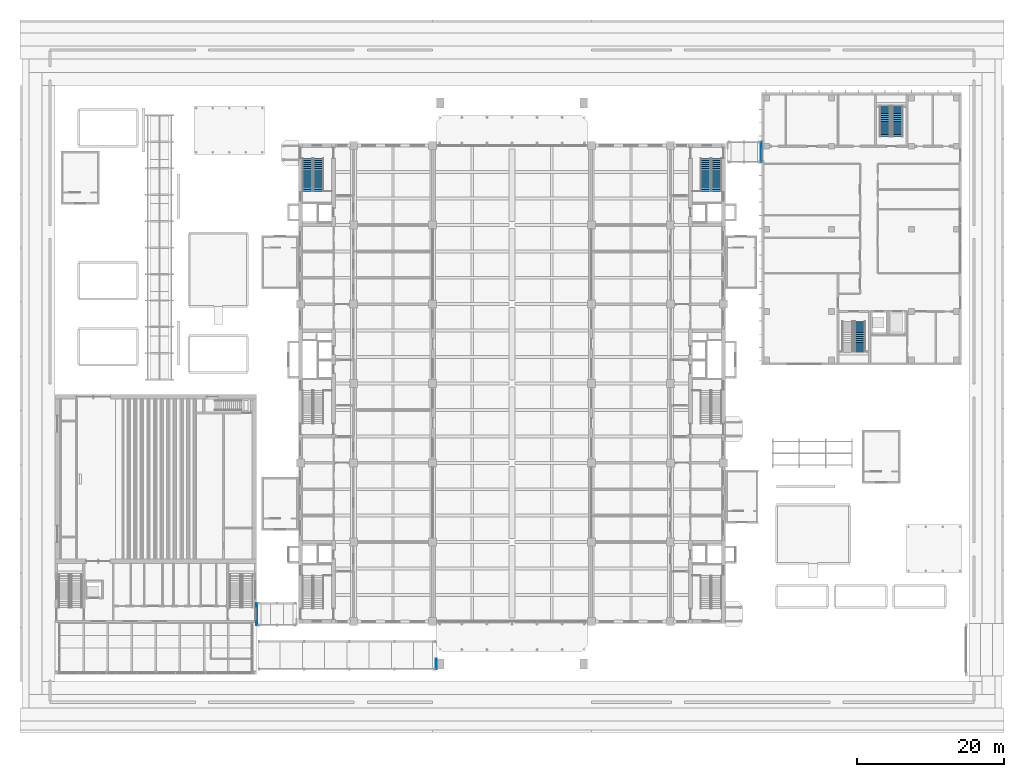
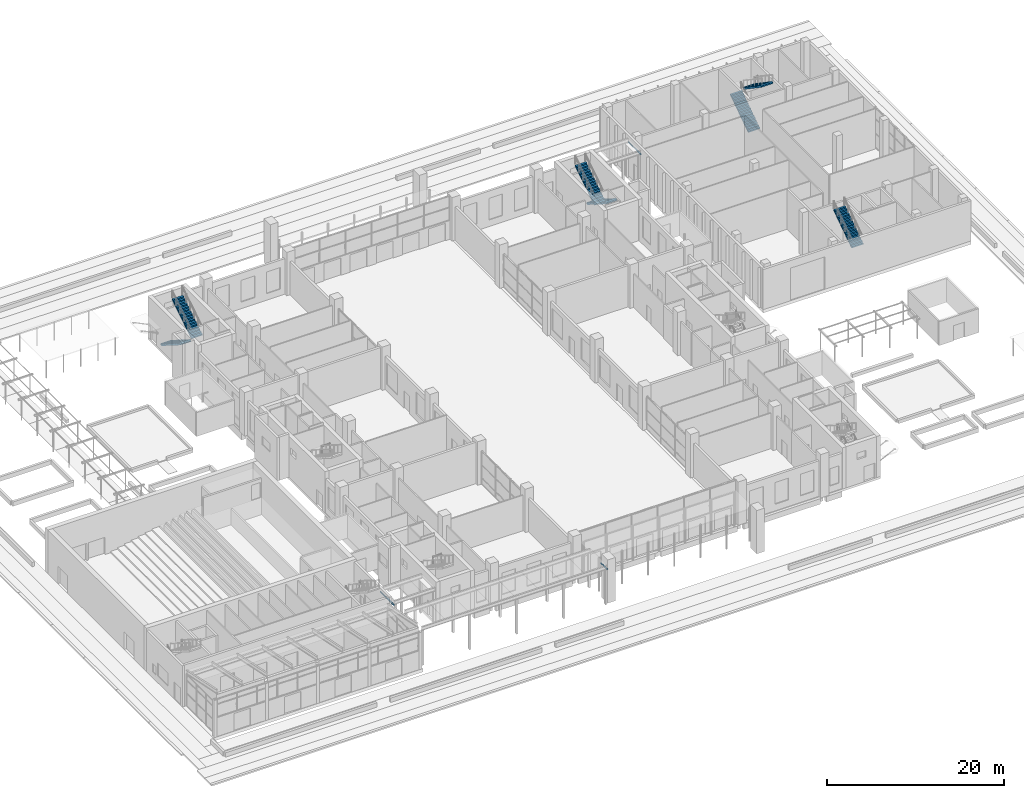
# One storey, part 59 of 71: 7 stair flights, 3 discrete accessories, 4 elements without a shape of their own.
"""IFC4 building model written with IfcOpenShell, lengths in metres."""

from ifc_helpers import new_model, si_unit, direction, frame, origin, origin_2d, place, context, subcontext, project, spatial, polyline, rectangle, outline, extrude, material, type_object, element, aggregate, save


model = new_model("IFC4")

# Units and contexts
model_context = context("Model", 3, precision=1e-05, world=origin(), true_north=direction((0.0, 1.0)))
body_context = subcontext(model_context, "Body", "Model", "MODEL_VIEW")
ifc_project = project(units=[si_unit("LENGTHUNIT", "METRE"), si_unit("AREAUNIT", "SQUARE_METRE"), si_unit("VOLUMEUNIT", "CUBIC_METRE"), si_unit("PLANEANGLEUNIT", "RADIAN"), si_unit("MASSUNIT", "GRAM", prefix="KILO")], contexts=[model_context])

# Site, building, storey
site_placement = place(None, origin())
site = spatial("IfcSite", under=ifc_project, at=site_placement, CompositionType="ELEMENT")
building_placement = place(site_placement, origin())
building = spatial("IfcBuilding", under=site, at=building_placement, Name="Basin Gate Institute", CompositionType="ELEMENT")
storey_placement = place(building_placement, origin())
storey = spatial("IfcBuildingStorey", under=building, at=storey_placement, Name="L00", CompositionType="ELEMENT", Elevation=0.0)

# Stair, stair flight
ifc_material_1 = material(Name="Concrete 40 MPa", Category="concrete")
stair_type_1 = type_object("IfcStairType", Name="Block stair ST", PredefinedType="HALF_TURN_STAIR", material=ifc_material_1)
stair_1_placement = place(storey_placement, origin())
stair_1 = element("IfcStair", 1, at=stair_1_placement, inside=storey, type_object=stair_type_1, material=ifc_material_1, Name="Clean block stair ST-C1 L00", PredefinedType="HALF_TURN_STAIR")
ifc_material_2 = material(Name="Concrete 40 MPa", Category="concrete")
stair_flight_type_1 = type_object("IfcStairFlightType", Name="Block stair flight", PredefinedType="STRAIGHT", material=ifc_material_2)
stair_flight_1_placement = place(storey_placement, frame((137.39990234375, 71.81494140625, 3.0), z_axis=(0.0, 0.0, 1.0), x_axis=(0.0, 1.0, 0.0)))
stair_flight_1 = element("IfcStairFlight", 2, at=stair_flight_1_placement, type_object=stair_flight_type_1, material=ifc_material_2, Name="ST-C1 flight 2", NumberOfRisers=17, NumberOfTreads=16, PredefinedType="STRAIGHT", RiserHeight=0.176470588, TreadLength=0.26, context=body_context, shape_type="SweptSolid", body=[
    extrude(outline(polyline([(0.0, 0.0), (0.0, 0.176513671875), (0.260009765625, 0.176513671875), (0.260009765625, 0.35302734375), (0.52001953125, 0.35302734375), (0.52001953125, 0.529296875), (0.780029296875, 0.529296875), (0.780029296875, 0.705810546875), (1.0400390625, 0.705810546875), (1.0400390625, 0.88232421875), (1.300048828125, 0.88232421875), (1.300048828125, 1.058837890625), (1.56005859375, 1.058837890625), (1.56005859375, 1.2353515625), (1.820068359375, 1.2353515625), (1.820068359375, 1.411865234375), (2.080078125, 1.411865234375), (2.080078125, 1.588134765625), (2.340087890625, 1.588134765625), (2.340087890625, 1.7646484375), (2.60009765625, 1.7646484375), (2.60009765625, 1.941162109375), (2.860107421875, 1.941162109375), (2.860107421875, 2.11767578125), (3.1201171875, 2.11767578125), (3.1201171875, 2.294189453125), (3.3798828125, 2.294189453125), (3.3798828125, 2.470703125), (3.639892578125, 2.470703125), (3.639892578125, 2.64697265625), (3.89990234375, 2.64697265625), (3.89990234375, 2.823486328125), (4.159912109375, 2.823486328125), (4.159912109375, 3.0), (4.159912109375, 2.642333984375), (0.266845703125, 0.0), (0.0, 0.0)])), frame((0.0, 0.75, 0.0), z_axis=(0.0, -1.0, 0.0), x_axis=(1.0, 0.0, 0.0)), (0.0, 0.0, 1.0), 1.5),
])
aggregate(stair_1, [stair_flight_1])

# Stair, stair flights
stair_2_placement = place(storey_placement, origin())
stair_2 = element("IfcStair", 3, at=stair_2_placement, inside=storey, type_object=stair_type_1, material=ifc_material_1, Name="Clean block stair ST-C5 L00", PredefinedType="HALF_TURN_STAIR")
stair_flight_2_placement = place(storey_placement, frame((140.800048828125, 101.125, 0.0), z_axis=(0.0, 0.0, 1.0), x_axis=(0.0, 1.0, 0.0)))
stair_flight_2 = element("IfcStairFlight", 4, at=stair_flight_2_placement, type_object=stair_flight_type_1, material=ifc_material_2, Name="ST-C5 flight 1", NumberOfRisers=17, NumberOfTreads=16, PredefinedType="STRAIGHT", RiserHeight=0.176470588, TreadLength=0.26, context=body_context, shape_type="SweptSolid", body=[
    extrude(outline(polyline([(0.0, 0.0), (0.0, 0.176513671875), (0.260009765625, 0.176513671875), (0.260009765625, 0.35302734375), (0.52001953125, 0.35302734375), (0.52001953125, 0.529296875), (0.780029296875, 0.529296875), (0.780029296875, 0.705810546875), (1.0400390625, 0.705810546875), (1.0400390625, 0.88232421875), (1.300048828125, 0.88232421875), (1.300048828125, 1.058837890625), (1.56005859375, 1.058837890625), (1.56005859375, 1.2353515625), (1.820068359375, 1.2353515625), (1.820068359375, 1.411865234375), (2.080078125, 1.411865234375), (2.080078125, 1.588134765625), (2.340087890625, 1.588134765625), (2.340087890625, 1.7646484375), (2.60009765625, 1.7646484375), (2.60009765625, 1.941162109375), (2.860107421875, 1.941162109375), (2.860107421875, 2.11767578125), (3.1201171875, 2.11767578125), (3.1201171875, 2.294189453125), (3.3798828125, 2.294189453125), (3.3798828125, 2.470703125), (3.639892578125, 2.470703125), (3.639892578125, 2.64697265625), (3.89990234375, 2.64697265625), (3.89990234375, 2.823486328125), (4.159912109375, 2.823486328125), (4.159912109375, 3.0), (4.159912109375, 2.642333984375), (0.266845703125, 0.0), (0.0, 0.0)])), frame((0.0, 0.75, 0.0), z_axis=(0.0, -1.0, 0.0), x_axis=(1.0, 0.0, 0.0)), (0.0, 0.0, 1.0), 1.5),
])
stair_flight_3_placement = place(storey_placement, frame((142.5, 105.284912109375, 3.0), z_axis=(0.0, 0.0, 1.0), x_axis=(0.0, -1.0, 0.0)))
stair_flight_3 = element("IfcStairFlight", 5, at=stair_flight_3_placement, type_object=stair_flight_type_1, material=ifc_material_2, Name="ST-C5 flight 2", NumberOfRisers=17, NumberOfTreads=16, PredefinedType="STRAIGHT", RiserHeight=0.176470588, TreadLength=0.26, context=body_context, shape_type="SweptSolid", body=[
    extrude(outline(polyline([(0.0, 0.0), (0.0, 0.176513671875), (0.260009765625, 0.176513671875), (0.260009765625, 0.35302734375), (0.52001953125, 0.35302734375), (0.52001953125, 0.529296875), (0.780029296875, 0.529296875), (0.780029296875, 0.705810546875), (1.0400390625, 0.705810546875), (1.0400390625, 0.88232421875), (1.300048828125, 0.88232421875), (1.300048828125, 1.058837890625), (1.56005859375, 1.058837890625), (1.56005859375, 1.2353515625), (1.820068359375, 1.2353515625), (1.820068359375, 1.411865234375), (2.080078125, 1.411865234375), (2.080078125, 1.588134765625), (2.340087890625, 1.588134765625), (2.340087890625, 1.7646484375), (2.60009765625, 1.7646484375), (2.60009765625, 1.941162109375), (2.860107421875, 1.941162109375), (2.860107421875, 2.11767578125), (3.1201171875, 2.11767578125), (3.1201171875, 2.294189453125), (3.3798828125, 2.294189453125), (3.3798828125, 2.470703125), (3.639892578125, 2.470703125), (3.639892578125, 2.64697265625), (3.89990234375, 2.64697265625), (3.89990234375, 2.823486328125), (4.159912109375, 2.823486328125), (4.159912109375, 3.0), (4.159912109375, 2.642333984375), (0.266845703125, 0.0), (0.0, 0.0)])), frame((0.0, 0.75, 0.0), z_axis=(0.0, -1.0, 0.0), x_axis=(1.0, 0.0, 0.0)), (0.0, 0.0, 1.0), 1.5),
])
aggregate(stair_2, [stair_flight_2, stair_flight_3])

ifc_material_3 = material(Name="Concrete 40 MPa", Category="concrete")
stair_type_2 = type_object("IfcStairType", Name="Stair ST", PredefinedType="HALF_TURN_STAIR", material=ifc_material_3)
stair_3_placement = place(storey_placement, origin())
stair_3 = element("IfcStair", 6, at=stair_3_placement, inside=storey, type_object=stair_type_2, material=ifc_material_3, Name="Special safe stair ST-WN L00", PredefinedType="HALF_TURN_STAIR")
ifc_material_4 = material(Name="Concrete 40 MPa", Category="concrete")
stair_flight_type_2 = type_object("IfcStairFlightType", Name="Stair flight FL", PredefinedType="STRAIGHT", material=ifc_material_4)
stair_flight_4_placement = place(storey_placement, frame((62.14990234375, 98.14990234375, 0.0), z_axis=(0.0, 0.0, 1.0), x_axis=(0.0, -1.0, 0.0)))
stair_flight_4 = element("IfcStairFlight", 7, at=stair_flight_4_placement, type_object=stair_flight_type_2, material=ifc_material_4, Name="Stair flight ST-WN-F1 L00", NumberOfRisers=17, NumberOfTreads=16, PredefinedType="STRAIGHT", RiserHeight=0.176470588, TreadLength=0.28, context=body_context, shape_type="SweptSolid", body=[
    extrude(outline(polyline([(0.0, 0.0), (0.0, 0.176513671875), (0.280029296875, 0.176513671875), (0.280029296875, 0.35302734375), (0.56005859375, 0.35302734375), (0.56005859375, 0.529296875), (0.840087890625, 0.529296875), (0.840087890625, 0.705810546875), (1.1201171875, 0.705810546875), (1.1201171875, 0.88232421875), (1.39990234375, 0.88232421875), (1.39990234375, 1.058837890625), (1.679931640625, 1.058837890625), (1.679931640625, 1.2353515625), (1.9599609375, 1.2353515625), (1.9599609375, 1.411865234375), (2.239990234375, 1.411865234375), (2.239990234375, 1.588134765625), (2.52001953125, 1.588134765625), (2.52001953125, 1.7646484375), (2.800048828125, 1.7646484375), (2.800048828125, 1.941162109375), (3.080078125, 1.941162109375), (3.080078125, 2.11767578125), (3.360107421875, 2.11767578125), (3.360107421875, 2.294189453125), (3.639892578125, 2.294189453125), (3.639892578125, 2.470703125), (3.919921875, 2.470703125), (3.919921875, 2.64697265625), (4.199951171875, 2.64697265625), (4.199951171875, 2.823486328125), (4.47998046875, 2.823486328125), (4.47998046875, 3.0), (4.47998046875, 2.646240234375), (0.28125, 0.0), (0.0, 0.0)])), frame((0.0, 0.699951171875, 0.0), z_axis=(0.0, -1.0, 0.0), x_axis=(1.0, 0.0, 0.0)), (0.0, 0.0, 1.0), 1.39990234375),
])
stair_flight_5_placement = place(storey_placement, frame((63.64990234375, 93.669921875, 3.0), z_axis=(0.0, 0.0, 1.0), x_axis=(0.0, 1.0, 0.0)))
stair_flight_5 = element("IfcStairFlight", 8, at=stair_flight_5_placement, type_object=stair_flight_type_2, material=ifc_material_4, Name="Stair flight ST-WN-F2 L00", NumberOfRisers=17, NumberOfTreads=16, PredefinedType="STRAIGHT", RiserHeight=0.176470588, TreadLength=0.28, context=body_context, shape_type="SweptSolid", body=[
    extrude(outline(polyline([(0.0, 0.0), (0.0, 0.176513671875), (0.280029296875, 0.176513671875), (0.280029296875, 0.35302734375), (0.56005859375, 0.35302734375), (0.56005859375, 0.529296875), (0.840087890625, 0.529296875), (0.840087890625, 0.705810546875), (1.1201171875, 0.705810546875), (1.1201171875, 0.88232421875), (1.39990234375, 0.88232421875), (1.39990234375, 1.058837890625), (1.679931640625, 1.058837890625), (1.679931640625, 1.2353515625), (1.9599609375, 1.2353515625), (1.9599609375, 1.411865234375), (2.239990234375, 1.411865234375), (2.239990234375, 1.588134765625), (2.52001953125, 1.588134765625), (2.52001953125, 1.7646484375), (2.800048828125, 1.7646484375), (2.800048828125, 1.941162109375), (3.080078125, 1.941162109375), (3.080078125, 2.11767578125), (3.360107421875, 2.11767578125), (3.360107421875, 2.294189453125), (3.639892578125, 2.294189453125), (3.639892578125, 2.470703125), (3.919921875, 2.470703125), (3.919921875, 2.64697265625), (4.199951171875, 2.64697265625), (4.199951171875, 2.823486328125), (4.47998046875, 2.823486328125), (4.47998046875, 3.0), (4.47998046875, 2.646240234375), (0.28125, 0.0), (0.0, 0.0)])), frame((0.0, 0.699951171875, 0.0), z_axis=(0.0, -1.0, 0.0), x_axis=(1.0, 0.0, 0.0)), (0.0, 0.0, 1.0), 1.39990234375),
])
aggregate(stair_3, [stair_flight_4, stair_flight_5])

stair_4_placement = place(storey_placement, origin())
stair_4 = element("IfcStair", 9, at=stair_4_placement, inside=storey, type_object=stair_type_2, material=ifc_material_3, Name="Special safe stair ST-EN L00", PredefinedType="HALF_TURN_STAIR")
stair_flight_6_placement = place(storey_placement, frame((117.85009765625, 98.14990234375, 0.0), z_axis=(0.0, 0.0, 1.0), x_axis=(0.0, -1.0, 0.0)))
stair_flight_6 = element("IfcStairFlight", 10, at=stair_flight_6_placement, type_object=stair_flight_type_2, material=ifc_material_4, Name="Stair flight ST-EN-F1 L00", NumberOfRisers=17, NumberOfTreads=16, PredefinedType="STRAIGHT", RiserHeight=0.176470588, TreadLength=0.28, context=body_context, shape_type="SweptSolid", body=[
    extrude(outline(polyline([(0.0, 0.0), (0.0, 0.176513671875), (0.280029296875, 0.176513671875), (0.280029296875, 0.35302734375), (0.56005859375, 0.35302734375), (0.56005859375, 0.529296875), (0.840087890625, 0.529296875), (0.840087890625, 0.705810546875), (1.1201171875, 0.705810546875), (1.1201171875, 0.88232421875), (1.39990234375, 0.88232421875), (1.39990234375, 1.058837890625), (1.679931640625, 1.058837890625), (1.679931640625, 1.2353515625), (1.9599609375, 1.2353515625), (1.9599609375, 1.411865234375), (2.239990234375, 1.411865234375), (2.239990234375, 1.588134765625), (2.52001953125, 1.588134765625), (2.52001953125, 1.7646484375), (2.800048828125, 1.7646484375), (2.800048828125, 1.941162109375), (3.080078125, 1.941162109375), (3.080078125, 2.11767578125), (3.360107421875, 2.11767578125), (3.360107421875, 2.294189453125), (3.639892578125, 2.294189453125), (3.639892578125, 2.470703125), (3.919921875, 2.470703125), (3.919921875, 2.64697265625), (4.199951171875, 2.64697265625), (4.199951171875, 2.823486328125), (4.47998046875, 2.823486328125), (4.47998046875, 3.0), (4.47998046875, 2.646240234375), (0.28125, 0.0), (0.0, 0.0)])), frame((0.0, 0.699951171875, 0.0), z_axis=(0.0, -1.0, 0.0), x_axis=(1.0, 0.0, 0.0)), (0.0, 0.0, 1.0), 1.39990234375),
])
stair_flight_7_placement = place(storey_placement, frame((116.35009765625, 93.669921875, 3.0), z_axis=(0.0, 0.0, 1.0), x_axis=(0.0, 1.0, 0.0)))
stair_flight_7 = element("IfcStairFlight", 11, at=stair_flight_7_placement, type_object=stair_flight_type_2, material=ifc_material_4, Name="Stair flight ST-EN-F2 L00", NumberOfRisers=17, NumberOfTreads=16, PredefinedType="STRAIGHT", RiserHeight=0.176470588, TreadLength=0.28, context=body_context, shape_type="SweptSolid", body=[
    extrude(outline(polyline([(0.0, 0.0), (0.0, 0.176513671875), (0.280029296875, 0.176513671875), (0.280029296875, 0.35302734375), (0.56005859375, 0.35302734375), (0.56005859375, 0.529296875), (0.840087890625, 0.529296875), (0.840087890625, 0.705810546875), (1.1201171875, 0.705810546875), (1.1201171875, 0.88232421875), (1.39990234375, 0.88232421875), (1.39990234375, 1.058837890625), (1.679931640625, 1.058837890625), (1.679931640625, 1.2353515625), (1.9599609375, 1.2353515625), (1.9599609375, 1.411865234375), (2.239990234375, 1.411865234375), (2.239990234375, 1.588134765625), (2.52001953125, 1.588134765625), (2.52001953125, 1.7646484375), (2.800048828125, 1.7646484375), (2.800048828125, 1.941162109375), (3.080078125, 1.941162109375), (3.080078125, 2.11767578125), (3.360107421875, 2.11767578125), (3.360107421875, 2.294189453125), (3.639892578125, 2.294189453125), (3.639892578125, 2.470703125), (3.919921875, 2.470703125), (3.919921875, 2.64697265625), (4.199951171875, 2.64697265625), (4.199951171875, 2.823486328125), (4.47998046875, 2.823486328125), (4.47998046875, 3.0), (4.47998046875, 2.646240234375), (0.28125, 0.0), (0.0, 0.0)])), frame((0.0, 0.699951171875, 0.0), z_axis=(0.0, -1.0, 0.0), x_axis=(1.0, 0.0, 0.0)), (0.0, 0.0, 1.0), 1.39990234375),
])
aggregate(stair_4, [stair_flight_6, stair_flight_7])

# Discrete accessories
ifc_material_5 = material(Name="Galvanised steel angle", Category="steel")
discrete_accessory_type = type_object("IfcDiscreteAccessoryType", Name="Passage joint bracket JB2", PredefinedType="BRACKET", material=ifc_material_5)
discrete_accessory_1_placement = place(storey_placement, frame((55.25, 36.10009765625, 4.69384765625), z_axis=(0.0, 0.0, 1.0), x_axis=(1.0, 0.0, 0.0)))
element("IfcDiscreteAccessory", 12, at=discrete_accessory_1_placement, inside=storey, type_object=discrete_accessory_type, material=ifc_material_5, Name="West court passage joint bracket 1", PredefinedType="BRACKET", context=body_context, shape_type="SweptSolid", body=[
    extrude(rectangle(XDim=0.10009765625, YDim=3.0, at=origin_2d()), origin(), (0.0, 0.0, 1.0), 0.10009765625),
])
discrete_accessory_2_placement = place(storey_placement, frame((123.949951171875, 99.02490234375, 4.69384765625), z_axis=(0.0, 0.0, 1.0), x_axis=(1.0, 0.0, 0.0)))
element("IfcDiscreteAccessory", 13, at=discrete_accessory_2_placement, inside=storey, type_object=discrete_accessory_type, material=ifc_material_5, Name="East court passage joint bracket 2", PredefinedType="BRACKET", context=body_context, shape_type="SweptSolid", body=[
    extrude(rectangle(XDim=0.10009765625, YDim=2.75, at=origin_2d()), origin(), (0.0, 0.0, 1.0), 0.10009765625),
])
discrete_accessory_3_placement = place(storey_placement, frame((79.699951171875, 29.300048828125, 4.69384765625), z_axis=(0.0, 0.0, 1.0), x_axis=(1.0, 0.0, 0.0)))
element("IfcDiscreteAccessory", 14, at=discrete_accessory_3_placement, inside=storey, type_object=discrete_accessory_type, material=ifc_material_5, Name="Forecourt canopy joint bracket 1", PredefinedType="BRACKET", context=body_context, shape_type="SweptSolid", body=[
    extrude(rectangle(XDim=0.10009765625, YDim=1.39990234375, at=origin_2d()), origin(), (0.0, 0.0, 1.0), 0.10009765625),
])

save(model, "model.ifc")
